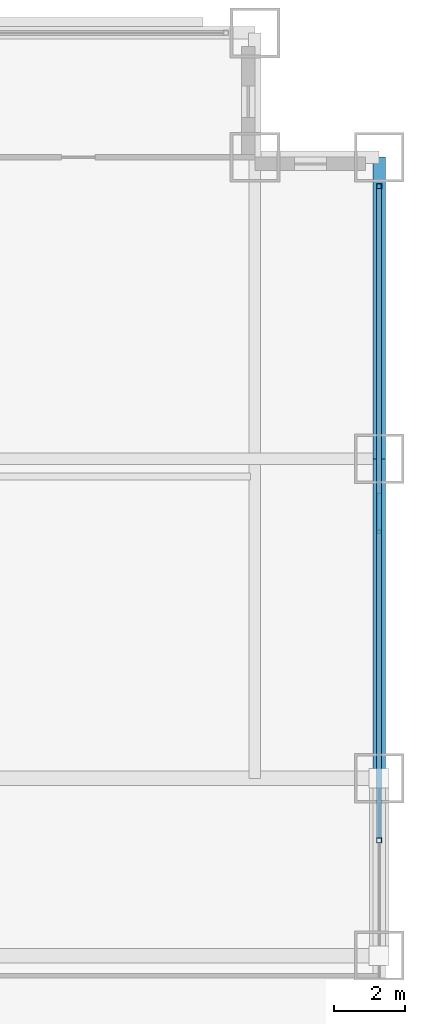
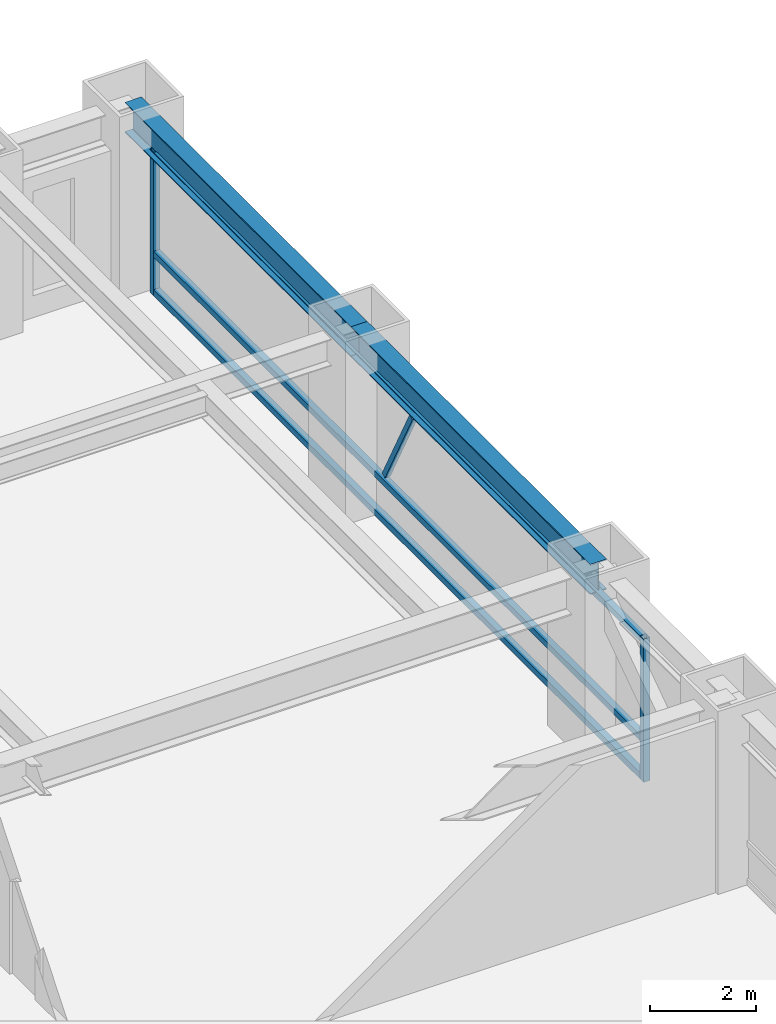
# One storey, part 18 of 31: 6 members, 2 beams, 1 element without a shape of its own.
"""IFC4 building model written with IfcOpenShell, lengths in metres."""

from ifc_helpers import new_model, si_unit, direction, frame, origin, origin_2d, place, context, subcontext, project, spatial, hollow_rectangle, i_section, extrude, source, transform, mapped, material, material_profile, profile_set, type_object, element, aggregate, save


model = new_model("IFC4")

# Units and contexts
model_context = context("Model", 3, precision=1e-05, world=origin(), true_north=direction((0.0, 1.0)))
body_context = subcontext(model_context, "Body", "Model", "MODEL_VIEW")
ifc_project = project(units=[si_unit("LENGTHUNIT", "METRE"), si_unit("AREAUNIT", "SQUARE_METRE"), si_unit("VOLUMEUNIT", "CUBIC_METRE"), si_unit("PLANEANGLEUNIT", "RADIAN"), si_unit("MASSUNIT", "GRAM", prefix="KILO")], contexts=[model_context])

# Site, building, storey
site_placement = place(None, origin())
site = spatial("IfcSite", under=ifc_project, at=site_placement, CompositionType="ELEMENT")
building_placement = place(site_placement, origin())
building = spatial("IfcBuilding", under=site, at=building_placement, Name="Khorayat Bourse Tower", CompositionType="ELEMENT")
storey_placement = place(building_placement, frame((0.0, 0.0, 32.60009765625)))
storey = spatial("IfcBuildingStorey", under=building, at=storey_placement, Name="L06", CompositionType="ELEMENT", Elevation=32.60009765625)

# Beams
ifc_material_1 = material(Name="Steel ASTM A992 Grade 50", Category="steel")
ifc_material_profile_1 = material_profile(ifc_material_1, i_section(OverallWidth=0.35498046875, OverallDepth=0.695068359375, WebThickness=0.015380859375, FlangeThickness=0.02490234375, FilletRadius=0.01806640625, at=origin_2d()), Name="W690X217")
ifc_profile_set_1 = profile_set([ifc_material_profile_1], Name="Steel ASTM A992 Grade 50")
beam_type = type_object("IfcBeamType", Name="BM-SPAN-690", PredefinedType="SPANDREL", material=ifc_profile_set_1)
shared_shape_1 = source(origin(), body_context, "Body", "SweptSolid", [
    extrude(i_section(OverallWidth=0.35498046875, OverallDepth=0.695068359375, WebThickness=0.015380859375, FlangeThickness=0.02490234375, FilletRadius=0.01806640625, at=origin_2d()), origin(), (0.0, 0.0, 1.0), 8.5),
])
beam_1_placement = place(storey_placement, frame((32.0, 20.0, 3.59228515625), z_axis=(0.0, 1.0, 0.0), x_axis=(-1.0, 0.0, 0.0)))
element("IfcBeam", 1, at=beam_1_placement, inside=storey, type_object=beam_type, Name="L06 BM-SPAN-690 BM-L06-SPN-041", PredefinedType="SPANDREL", context=body_context, shape_type="MappedRepresentation", body=[
    mapped(shared_shape_1, transform((0.0, 0.0, 0.0), scale=1.0)),
])
shared_shape_2 = source(origin(), body_context, "Body", "SweptSolid", [
    extrude(i_section(OverallWidth=0.35498046875, OverallDepth=0.695068359375, WebThickness=0.015380859375, FlangeThickness=0.02490234375, FilletRadius=0.01806640625, at=origin_2d()), origin(), (0.0, 0.0, 1.0), 9.0),
])
beam_2_placement = place(storey_placement, frame((32.0, 11.0, 3.59228515625), z_axis=(0.0, 1.0, 0.0), x_axis=(-1.0, 0.0, 0.0)))
element("IfcBeam", 2, at=beam_2_placement, inside=storey, type_object=beam_type, Name="L06 BM-SPAN-690 BM-L06-SPN-040", PredefinedType="SPANDREL", context=body_context, shape_type="MappedRepresentation", body=[
    mapped(shared_shape_2, transform((0.0, 0.0, 0.0), scale=1.0)),
])

# Curtain wall, members
ifc_material_2 = material(Name="Aluminium EN AW-6063 T6", Category="aluminium")
curtain_wall_type = type_object("IfcCurtainWallType", Name="CW-SYS-02", PredefinedType="NOTDEFINED", material=ifc_material_2)
curtain_wall_placement = place(storey_placement, origin())
curtain_wall = element("IfcCurtainWall", 3, at=curtain_wall_placement, inside=storey, type_object=curtain_wall_type, Name="L06 Curtain Wall CW-L06-E1", PredefinedType="NOTDEFINED")
ifc_material_profile_2 = material_profile(ifc_material_2, hollow_rectangle(XDim=0.139892578125, YDim=0.139892578125, WallThickness=0.006103515625, at=origin_2d()), Name="ALU 140x140x6")
ifc_profile_set_2 = profile_set([ifc_material_profile_2], Name="Aluminium EN AW-6063 T6")
member_type_1 = type_object("IfcMemberType", Name="CWM-VERT-140", PredefinedType="MULLION", material=ifc_profile_set_2)
shared_shape_3 = source(origin(), body_context, "Body", "SweptSolid", [
    extrude(hollow_rectangle(XDim=0.139892578125, YDim=0.139892578125, WallThickness=0.006103515625, at=origin_2d()), origin(), (0.0, 0.0, 1.0), 3.289794921875),
])
member_1_placement = place(storey_placement, frame((32.0, 9.25, 0.0), z_axis=(0.0, 0.0, 1.0), x_axis=(-1.0, 0.0, 0.0)))
member_1 = element("IfcMember", 4, at=member_1_placement, type_object=member_type_1, Name="CW-L06-E1 Vertical Mullion 3", PredefinedType="MULLION", context=body_context, shape_type="MappedRepresentation", body=[
    mapped(shared_shape_3, transform((0.0, 0.0, 0.0), scale=1.0)),
])
member_2_placement = place(storey_placement, frame((32.0, 27.679931640625, 0.0), z_axis=(0.0, 0.0, 1.0), x_axis=(-1.0, 0.0, 0.0)))
member_2 = element("IfcMember", 5, at=member_2_placement, type_object=member_type_1, Name="CW-L06-E1 Vertical Mullion 4", PredefinedType="MULLION", context=body_context, shape_type="MappedRepresentation", body=[
    mapped(shared_shape_3, transform((0.0, 0.0, 0.0), scale=1.0)),
])
ifc_material_profile_3 = material_profile(ifc_material_2, hollow_rectangle(XDim=0.139892578125, YDim=0.139892578125, WallThickness=0.006103515625, at=origin_2d()), Name="ALU 140x140x6")
ifc_profile_set_3 = profile_set([ifc_material_profile_3], Name="Aluminium EN AW-6063 T6")
member_type_2 = type_object("IfcMemberType", Name="CWT-HORZ-140", PredefinedType="USERDEFINED", material=ifc_profile_set_3)
shared_shape_4 = source(origin(), body_context, "Body", "SweptSolid", [
    extrude(hollow_rectangle(XDim=0.139892578125, YDim=0.139892578125, WallThickness=0.006103515625, at=origin_2d()), origin(), (0.0, 0.0, 1.0), 18.2900390625),
])
member_3_placement = place(storey_placement, frame((32.0, 9.320068359375, 0.06982421875), z_axis=(0.0, 1.0, 0.0), x_axis=(-1.0, 0.0, 0.0)))
member_3 = element("IfcMember", 6, at=member_3_placement, type_object=member_type_2, Name="CW-L06-E1 Horizontal Transom 3-1", ObjectType="TRANSOM", PredefinedType="USERDEFINED", context=body_context, shape_type="MappedRepresentation", body=[
    mapped(shared_shape_4, transform((0.0, 0.0, 0.0), scale=1.0)),
])
member_4_placement = place(storey_placement, frame((32.0, 9.320068359375, 0.949951171875), z_axis=(0.0, 1.0, 0.0), x_axis=(-1.0, 0.0, 0.0)))
member_4 = element("IfcMember", 7, at=member_4_placement, type_object=member_type_2, Name="CW-L06-E1 Horizontal Transom 3-2", ObjectType="TRANSOM", PredefinedType="USERDEFINED", context=body_context, shape_type="MappedRepresentation", body=[
    mapped(shared_shape_4, transform((0.0, 0.0, 0.0), scale=1.0)),
])
member_5_placement = place(storey_placement, frame((32.0, 9.320068359375, 3.219970703125), z_axis=(0.0, 1.0, 0.0), x_axis=(-1.0, 0.0, 0.0)))
member_5 = element("IfcMember", 8, at=member_5_placement, type_object=member_type_2, Name="CW-L06-E1 Horizontal Transom 3-3", ObjectType="TRANSOM", PredefinedType="USERDEFINED", context=body_context, shape_type="MappedRepresentation", body=[
    mapped(shared_shape_4, transform((0.0, 0.0, 0.0), scale=1.0)),
])
ifc_material_profile_4 = material_profile(ifc_material_2, hollow_rectangle(XDim=0.1201171875, YDim=0.1201171875, WallThickness=0.0048828125, at=origin_2d()), Name="ALU 120x120x5")
ifc_profile_set_4 = profile_set([ifc_material_profile_4], Name="Aluminium EN AW-6063 T6")
member_type_3 = type_object("IfcMemberType", Name="CWM-DIAG-120", PredefinedType="MULLION", material=ifc_profile_set_4)
shared_shape_5 = source(origin(), body_context, "Body", "SweptSolid", [
    extrude(hollow_rectangle(XDim=0.1201171875, YDim=0.1201171875, WallThickness=0.0048828125, at=origin_2d()), origin(), (0.0, 0.0, 1.0), 2.22607421875),
])
member_6_placement = place(storey_placement, frame((32.0, 18.9833984375, 1.099853515625), z_axis=(0.0, -0.465759992596, 0.884911085532), x_axis=(1.0, 0.0, 0.0)))
member_6 = element("IfcMember", 9, at=member_6_placement, type_object=member_type_3, Name="CW-L06-E1 Faceted Diagonal Mullion 3", PredefinedType="MULLION", context=body_context, shape_type="MappedRepresentation", body=[
    mapped(shared_shape_5, transform((0.0, 0.0, 0.0), scale=1.0)),
])
aggregate(curtain_wall, [member_1, member_2, member_3, member_4, member_5, member_6])

save(model, "model.ifc")
